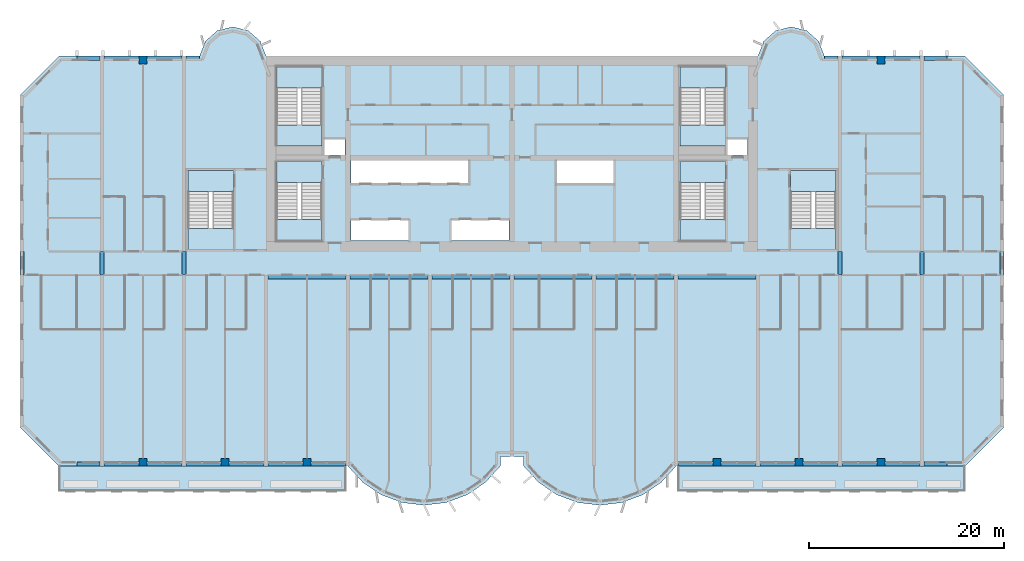
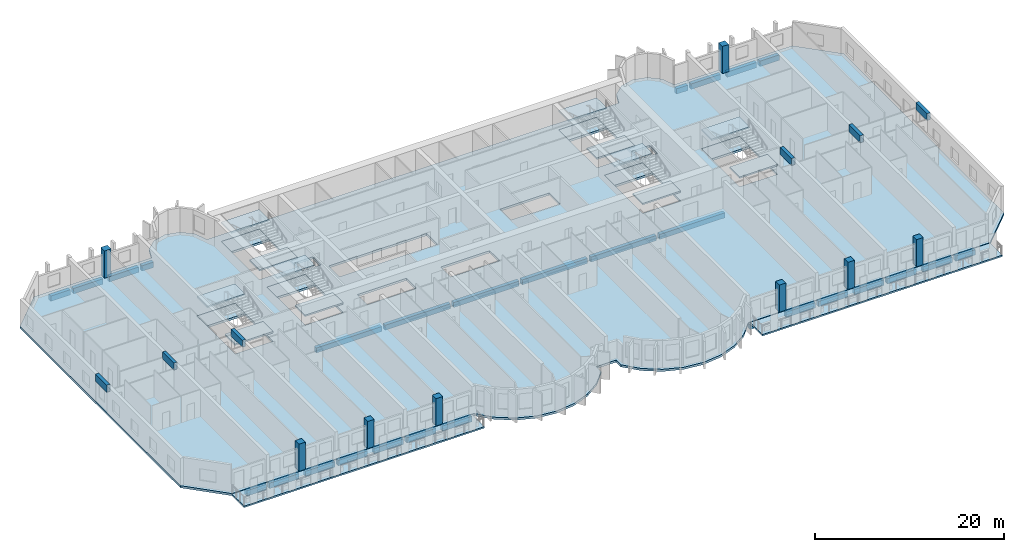
# One storey, part 1 of 15: 34 beams, 21 slabs, 8 columns, 6 elements without a shape of their own.
"""IFC4 building model written with IfcOpenShell, lengths in metres."""

from ifc_helpers import new_model, si_unit, direction, frame, origin, origin_2d, place, context, subcontext, project, spatial, polyline, rectangle, outline, extrude, source, transform, mapped, material, layer, layer_set, material_profile, profile_set, type_object, element, aggregate, save


model = new_model("IFC4")

# Units and contexts
model_context = context("Model", 3, precision=1e-05, world=origin(), true_north=direction((0.0, 1.0)))
body_context = subcontext(model_context, "Body", "Model", "MODEL_VIEW")
ifc_project = project(units=[si_unit("LENGTHUNIT", "METRE"), si_unit("AREAUNIT", "SQUARE_METRE"), si_unit("VOLUMEUNIT", "CUBIC_METRE"), si_unit("PLANEANGLEUNIT", "RADIAN"), si_unit("MASSUNIT", "GRAM", prefix="KILO")], contexts=[model_context])

# Site, building, storey
site_placement = place(None, origin())
site = spatial("IfcSite", under=ifc_project, at=site_placement, CompositionType="ELEMENT")
building_placement = place(site_placement, origin())
building = spatial("IfcBuilding", under=site, at=building_placement, Name="Vanashikhar Sky Hotel", CompositionType="ELEMENT")
storey_placement = place(building_placement, frame((0.0, 0.0, 77.199951171875)))
storey = spatial("IfcBuildingStorey", under=building, at=storey_placement, Name="L18", CompositionType="ELEMENT", Elevation=77.199951171875)

# Columns
ifc_material_1 = material(Name="Concrete M70", Category="concrete")
ifc_material_profile_1 = material_profile(ifc_material_1, rectangle(XDim=0.800048828125, YDim=0.800048828125, at=origin_2d()))
ifc_profile_set_1 = profile_set([ifc_material_profile_1], Name="RC 800x800 column Concrete M70")
column_type = type_object("IfcColumnType", Name="RC 800x800 column Concrete M70", PredefinedType="COLUMN", material=ifc_profile_set_1)
shared_shape_1 = source(origin(), body_context, "Body", "SweptSolid", [
    extrude(rectangle(XDim=0.800048828125, YDim=0.800048828125, at=origin_2d()), origin(), (0.0, 0.0, 1.0), 3.52001953125),
])
for number, where, z_axis, x_axis, name in (
    (1, (12.60009765625, 0.39990234375, 0.0), (0.0, 0.0, 1.0), (1.0, 0.0, 0.0), "CL-L18-CF02"),
    (2, (21.0, 0.39990234375, 0.0), (0.0, 0.0, 1.0), (1.0, 0.0, 0.0), "CL-L18-CF03"),
    (3, (29.39990234375, 0.39990234375, 0.0), (0.0, 0.0, 1.0), (1.0, 0.0, 0.0), "CL-L18-CF04"),
    (4, (71.39990234375, 0.39990234375, 0.0), (0.0, 0.0, 1.0), (1.0, 0.0, 0.0), "CL-L18-CF09"),
    (5, (79.800048828125, 0.39990234375, 0.0), (0.0, 0.0, 1.0), (1.0, 0.0, 0.0), "CL-L18-CF10"),
    (6, (88.199951171875, 0.39990234375, 0.0), (0.0, 0.0, 1.0), (1.0, 0.0, 0.0), "CL-L18-CF11"),
    (7, (12.60009765625, 41.60009765625, 0.0), (0.0, 0.0, 1.0), (1.0, 0.0, 0.0), "CL-L18-CR02"),
    (8, (88.199951171875, 41.60009765625, 0.0), (0.0, 0.0, 1.0), (1.0, 0.0, 0.0), "CL-L18-CR11"),
):
    element("IfcColumn", number, at=place(storey_placement, frame(where, z_axis=z_axis, x_axis=x_axis)), inside=storey, type_object=column_type, Name=name, PredefinedType="COLUMN", context=body_context, shape_type="MappedRepresentation", body=[
        mapped(shared_shape_1, transform((0.0, 0.0, 0.0), scale=1.0)),
    ])

# Beams
ifc_material_2 = material(Name="Concrete M50", Category="concrete")
ifc_material_profile_2 = material_profile(ifc_material_2, rectangle(XDim=0.39990234375, YDim=0.89990234375, at=origin_2d()))
ifc_profile_set_2 = profile_set([ifc_material_profile_2], Name="RC 400x900 beam Concrete M50")
beam_type_1 = type_object("IfcBeamType", Name="RC 400x900 beam Concrete M50", PredefinedType="LINTEL", material=ifc_profile_set_2)
shared_shape_2 = source(origin(), body_context, "Body", "SweptSolid", [
    extrude(rectangle(XDim=0.39990234375, YDim=0.89990234375, at=origin_2d()), origin(), (0.0, 0.0, 1.0), 2.39990234375),
])
for number, where, z_axis, x_axis, name in (
    (9, (0.199951171875, 19.60009765625, 3.070068359375), (0.0, 1.0, 0.0), (-1.0, 0.0, 0.0), "LB-L18-XW01"),
    (10, (8.39990234375, 19.60009765625, 3.070068359375), (0.0, 1.0, 0.0), (-1.0, 0.0, 0.0), "LB-L18-XW02"),
    (11, (16.800048828125, 19.60009765625, 3.070068359375), (0.0, 1.0, 0.0), (-1.0, 0.0, 0.0), "LB-L18-XW03"),
    (12, (84.0, 19.60009765625, 3.070068359375), (0.0, 1.0, 0.0), (-1.0, 0.0, 0.0), "LB-L18-XW11"),
    (13, (92.39990234375, 19.60009765625, 3.070068359375), (0.0, 1.0, 0.0), (-1.0, 0.0, 0.0), "LB-L18-XW12"),
    (14, (100.60009765625, 19.60009765625, 3.070068359375), (0.0, 1.0, 0.0), (-1.0, 0.0, 0.0), "LB-L18-XW13"),
):
    element("IfcBeam", number, at=place(storey_placement, frame(where, z_axis=z_axis, x_axis=x_axis)), inside=storey, type_object=beam_type_1, Name=name, PredefinedType="LINTEL", context=body_context, shape_type="MappedRepresentation", body=[
        mapped(shared_shape_2, transform((0.0, 0.0, 0.0), scale=1.0)),
    ])
ifc_material_profile_3 = material_profile(ifc_material_2, rectangle(XDim=0.449951171875, YDim=0.699951171875, at=origin_2d()))
ifc_profile_set_3 = profile_set([ifc_material_profile_3], Name="RC 450x700 beam Concrete M50")
beam_type_2 = type_object("IfcBeamType", Name="RC 450x700 beam Concrete M50", PredefinedType="BEAM", material=ifc_profile_set_3)
shared_shape_3 = source(origin(), body_context, "Body", "SweptSolid", [
    extrude(rectangle(XDim=0.449951171875, YDim=0.699951171875, at=origin_2d()), origin(), (0.0, 0.0, 1.0), 3.599853515625),
])
for number, where, z_axis, x_axis, name in (
    (15, (8.60009765625, 0.22509765625, -0.6298828125), (1.0, 0.0, 0.0), (0.0, 1.0, 0.0), "EB-L18-F01"),
    (16, (29.800048828125, 0.22509765625, -0.6298828125), (1.0, 0.0, 0.0), (0.0, 1.0, 0.0), "EB-L18-F06"),
    (17, (71.800048828125, 0.22509765625, -0.6298828125), (1.0, 0.0, 0.0), (0.0, 1.0, 0.0), "EB-L18-F09"),
    (18, (75.800048828125, 0.22509765625, -0.6298828125), (1.0, 0.0, 0.0), (0.0, 1.0, 0.0), "EB-L18-F10"),
    (19, (88.60009765625, 0.22509765625, -0.6298828125), (1.0, 0.0, 0.0), (0.0, 1.0, 0.0), "EB-L18-F13"),
    (20, (8.60009765625, 41.77490234375, -0.6298828125), (1.0, 0.0, 0.0), (0.0, 1.0, 0.0), "EB-L18-R01"),
    (21, (88.60009765625, 41.77490234375, -0.6298828125), (1.0, 0.0, 0.0), (0.0, 1.0, 0.0), "EB-L18-R06"),
):
    element("IfcBeam", number, at=place(storey_placement, frame(where, z_axis=z_axis, x_axis=x_axis)), inside=storey, type_object=beam_type_2, Name=name, PredefinedType="BEAM", context=body_context, shape_type="MappedRepresentation", body=[
        mapped(shared_shape_3, transform((0.0, 0.0, 0.0), scale=1.0)),
    ])
shared_shape_4 = source(origin(), body_context, "Body", "SweptSolid", [
    extrude(rectangle(XDim=0.449951171875, YDim=0.699951171875, at=origin_2d()), origin(), (0.0, 0.0, 1.0), 3.60009765625),
])
for number, where, z_axis, x_axis, name in (
    (22, (13.0, 0.22509765625, -0.6298828125), (1.0, 0.0, 0.0), (0.0, 1.0, 0.0), "EB-L18-F02"),
    (23, (17.0, 0.22509765625, -0.6298828125), (1.0, 0.0, 0.0), (0.0, 1.0, 0.0), "EB-L18-F03"),
    (24, (21.39990234375, 0.22509765625, -0.6298828125), (1.0, 0.0, 0.0), (0.0, 1.0, 0.0), "EB-L18-F04"),
    (25, (25.39990234375, 0.22509765625, -0.6298828125), (1.0, 0.0, 0.0), (0.0, 1.0, 0.0), "EB-L18-F05"),
    (26, (67.39990234375, 0.22509765625, -0.6298828125), (1.0, 0.0, 0.0), (0.0, 1.0, 0.0), "EB-L18-F08"),
    (27, (80.199951171875, 0.22509765625, -0.6298828125), (1.0, 0.0, 0.0), (0.0, 1.0, 0.0), "EB-L18-F11"),
    (28, (84.199951171875, 0.22509765625, -0.6298828125), (1.0, 0.0, 0.0), (0.0, 1.0, 0.0), "EB-L18-F12"),
    (29, (13.0, 41.77490234375, -0.6298828125), (1.0, 0.0, 0.0), (0.0, 1.0, 0.0), "EB-L18-R02"),
    (30, (84.199951171875, 41.77490234375, -0.6298828125), (1.0, 0.0, 0.0), (0.0, 1.0, 0.0), "EB-L18-R05"),
):
    element("IfcBeam", number, at=place(storey_placement, frame(where, z_axis=z_axis, x_axis=x_axis)), inside=storey, type_object=beam_type_2, Name=name, PredefinedType="BEAM", context=body_context, shape_type="MappedRepresentation", body=[
        mapped(shared_shape_4, transform((0.0, 0.0, 0.0), scale=1.0)),
    ])
ifc_material_profile_4 = material_profile(ifc_material_2, rectangle(XDim=0.449951171875, YDim=0.699951171875, at=origin_2d()))
ifc_profile_set_4 = profile_set([ifc_material_profile_4], Name="RC 450x700 cantilever beam Concrete M50")
beam_type_3 = type_object("IfcBeamType", Name="RC 450x700 cantilever beam Concrete M50", PredefinedType="SPANDREL", material=ifc_profile_set_4)
shared_shape_5 = source(origin(), body_context, "Body", "SweptSolid", [
    extrude(rectangle(XDim=0.449951171875, YDim=0.699951171875, at=origin_2d()), origin(), (0.0, 0.0, 1.0), 2.3798828125),
])
for number, where, z_axis, x_axis, name in (
    (31, (5.820068359375, 0.22509765625, -0.6298828125), (1.0, 0.0, 0.0), (0.0, 1.0, 0.0), "EB-L18-F07"),
    (32, (92.60009765625, 0.22509765625, -0.6298828125), (1.0, 0.0, 0.0), (0.0, 1.0, 0.0), "EB-L18-F14"),
    (33, (5.820068359375, 41.77490234375, -0.6298828125), (1.0, 0.0, 0.0), (0.0, 1.0, 0.0), "EB-L18-R03"),
    (34, (92.60009765625, 41.77490234375, -0.6298828125), (1.0, 0.0, 0.0), (0.0, 1.0, 0.0), "EB-L18-R08"),
):
    element("IfcBeam", number, at=place(storey_placement, frame(where, z_axis=z_axis, x_axis=x_axis)), inside=storey, type_object=beam_type_3, Name=name, PredefinedType="SPANDREL", context=body_context, shape_type="MappedRepresentation", body=[
        mapped(shared_shape_5, transform((0.0, 0.0, 0.0), scale=1.0)),
    ])
shared_shape_6 = source(origin(), body_context, "Body", "SweptSolid", [
    extrude(rectangle(XDim=0.449951171875, YDim=0.699951171875, at=origin_2d()), origin(), (0.0, 0.0, 1.0), 1.39990234375),
])
beam_1_placement = place(storey_placement, frame((17.0, 41.77490234375, -0.6298828125), z_axis=(1.0, 0.0, 0.0), x_axis=(0.0, 1.0, 0.0)))
element("IfcBeam", 35, at=beam_1_placement, inside=storey, type_object=beam_type_3, Name="EB-L18-R04", PredefinedType="SPANDREL", context=body_context, shape_type="MappedRepresentation", body=[
    mapped(shared_shape_6, transform((0.0, 0.0, 0.0), scale=1.0)),
])
shared_shape_7 = source(origin(), body_context, "Body", "SweptSolid", [
    extrude(rectangle(XDim=0.449951171875, YDim=0.699951171875, at=origin_2d()), origin(), (0.0, 0.0, 1.0), 1.400146484375),
])
beam_2_placement = place(storey_placement, frame((82.39990234375, 41.77490234375, -0.6298828125), z_axis=(1.0, 0.0, 0.0), x_axis=(0.0, 1.0, 0.0)))
element("IfcBeam", 36, at=beam_2_placement, inside=storey, type_object=beam_type_3, Name="EB-L18-R07", PredefinedType="SPANDREL", context=body_context, shape_type="MappedRepresentation", body=[
    mapped(shared_shape_7, transform((0.0, 0.0, 0.0), scale=1.0)),
])
ifc_material_profile_5 = material_profile(ifc_material_2, rectangle(XDim=0.449951171875, YDim=0.64990234375, at=origin_2d()))
ifc_profile_set_5 = profile_set([ifc_material_profile_5], Name="RC 450x650 beam Concrete M50")
beam_type_4 = type_object("IfcBeamType", Name="RC 450x650 beam Concrete M50", PredefinedType="BEAM", material=ifc_profile_set_5)
shared_shape_8 = source(origin(), body_context, "Body", "SweptSolid", [
    extrude(rectangle(XDim=0.449951171875, YDim=0.64990234375, at=origin_2d()), origin(), (0.0, 0.0, 1.0), 8.0),
])
for number, where, z_axis, x_axis, name in (
    (37, (25.39990234375, 19.375, -0.60498046875), (1.0, 0.0, 0.0), (0.0, 1.0, 0.0), "CB-L18-01"),
    (38, (33.800048828125, 19.375, -0.60498046875), (1.0, 0.0, 0.0), (0.0, 1.0, 0.0), "CB-L18-02"),
    (39, (42.199951171875, 19.375, -0.60498046875), (1.0, 0.0, 0.0), (0.0, 1.0, 0.0), "CB-L18-03"),
    (40, (50.60009765625, 19.375, -0.60498046875), (1.0, 0.0, 0.0), (0.0, 1.0, 0.0), "CB-L18-04"),
    (41, (59.0, 19.375, -0.60498046875), (1.0, 0.0, 0.0), (0.0, 1.0, 0.0), "CB-L18-05"),
    (42, (67.39990234375, 19.375, -0.60498046875), (1.0, 0.0, 0.0), (0.0, 1.0, 0.0), "CB-L18-06"),
):
    element("IfcBeam", number, at=place(storey_placement, frame(where, z_axis=z_axis, x_axis=x_axis)), inside=storey, type_object=beam_type_4, Name=name, PredefinedType="BEAM", context=body_context, shape_type="MappedRepresentation", body=[
        mapped(shared_shape_8, transform((0.0, 0.0, 0.0), scale=1.0)),
    ])

# Slabs
ifc_material_3 = material(Name="Concrete M40", Category="concrete")
ifc_layer_1 = layer(ifc_material_3, 0.280029296875)
ifc_layer_set_1 = layer_set([ifc_layer_1], Name="Floor slab 280 mm")
slab_type_1 = type_object("IfcSlabType", Name="Floor slab 280 mm", PredefinedType="FLOOR", material=ifc_layer_set_1)
shared_shape_9 = source(origin(), body_context, "Body", "SweptSolid", [
    extrude(outline(polyline([(49.199951171875, 0.0), (49.199951171875, 1.0), (51.60009765625, 1.0), (51.60009765625, 0.0), (53.133056640625, -1.674072265625), (55.01708984375, -2.94189453125), (57.14599609375, -3.73193359375), (59.39990234375, -4.0), (61.654052734375, -3.73193359375), (63.782958984375, -2.94189453125), (65.6669921875, -1.674072265625), (67.199951171875, 0.0), (96.800048828125, 0.0), (100.800048828125, 4.0), (100.800048828125, 38.0), (96.800048828125, 42.0), (82.39990234375, 42.0), (81.81494140625, 43.527099609375), (80.587890625, 44.610107421875), (79.0, 45.0), (77.412109375, 44.610107421875), (76.18505859375, 43.527099609375), (75.60009765625, 42.0), (25.199951171875, 42.0), (24.614990234375, 43.527099609375), (23.387939453125, 44.610107421875), (21.800048828125, 45.0), (20.2119140625, 44.610107421875), (18.985107421875, 43.527099609375), (18.39990234375, 42.0), (4.0, 42.0), (0.0, 38.0), (0.0, 4.0), (4.0, 0.0), (33.60009765625, 0.0), (35.133056640625, -1.674072265625), (37.01708984375, -2.94189453125), (39.14599609375, -3.73193359375), (41.39990234375, -4.0), (43.654052734375, -3.73193359375), (45.782958984375, -2.94189453125), (47.6669921875, -1.674072265625), (49.199951171875, 0.0)]), holes=[polyline([(33.300048828125, 33.60009765625), (31.050048828125, 33.60009765625), (31.050048828125, 31.89990234375), (33.300048828125, 31.89990234375), (33.300048828125, 33.60009765625)]), polyline([(33.89990234375, 25.199951171875), (33.89990234375, 23.10009765625), (39.89990234375, 23.10009765625), (39.89990234375, 25.199951171875), (33.89990234375, 25.199951171875)]), polyline([(33.89990234375, 31.300048828125), (33.89990234375, 29.0), (45.89990234375, 29.0), (45.89990234375, 31.300048828125), (33.89990234375, 31.300048828125)]), polyline([(44.10009765625, 25.199951171875), (44.10009765625, 23.10009765625), (50.10009765625, 23.10009765625), (50.10009765625, 25.199951171875), (44.10009765625, 25.199951171875)]), polyline([(54.89990234375, 31.300048828125), (54.89990234375, 29.0), (60.89990234375, 29.0), (60.89990234375, 31.300048828125), (54.89990234375, 31.300048828125)]), polyline([(74.5, 33.60009765625), (72.35009765625, 33.60009765625), (72.35009765625, 31.89990234375), (74.5, 31.89990234375), (74.5, 33.60009765625)]), polyline([(30.949951171875, 23.10009765625), (30.949951171875, 31.199951171875), (26.300048828125, 31.199951171875), (26.300048828125, 23.10009765625), (30.949951171875, 23.10009765625)]), polyline([(72.25, 23.10009765625), (72.25, 31.199951171875), (67.60009765625, 31.199951171875), (67.60009765625, 23.10009765625), (72.25, 23.10009765625)]), polyline([(30.949951171875, 32.800048828125), (30.949951171875, 40.89990234375), (26.300048828125, 40.89990234375), (26.300048828125, 32.800048828125), (30.949951171875, 32.800048828125)]), polyline([(72.25, 32.800048828125), (72.25, 40.89990234375), (67.60009765625, 40.89990234375), (67.60009765625, 32.800048828125), (72.25, 32.800048828125)]), polyline([(83.60009765625, 22.199951171875), (83.60009765625, 30.300048828125), (78.949951171875, 30.300048828125), (78.949951171875, 22.199951171875), (83.60009765625, 22.199951171875)]), polyline([(21.85009765625, 22.199951171875), (21.85009765625, 30.300048828125), (17.199951171875, 30.300048828125), (17.199951171875, 22.199951171875), (21.85009765625, 22.199951171875)])]), origin(), (0.0, 0.0, 1.0), 0.280029296875),
])
slab_1_placement = place(storey_placement, frame((0.0, 0.0, -0.280029296875)))
element("IfcSlab", 43, at=slab_1_placement, inside=storey, type_object=slab_type_1, Name="Floor slab L18", PredefinedType="FLOOR", context=body_context, shape_type="MappedRepresentation", body=[
    mapped(shared_shape_9, transform((0.0, 0.0, 0.0), scale=1.0)),
])
ifc_layer_2 = layer(ifc_material_3, 0.199951171875)
ifc_layer_set_2 = layer_set([ifc_layer_2], Name="Balcony slab 200 mm")
slab_type_2 = type_object("IfcSlabType", Name="Balcony slab 200 mm", PredefinedType="USERDEFINED", material=ifc_layer_set_2)
shared_shape_10 = source(origin(), body_context, "Body", "SweptSolid", [
    extrude(outline(polyline([(4.0, -2.60009765625), (33.39990234375, -2.60009765625), (33.39990234375, 0.0), (4.0, 0.0), (4.0, -2.60009765625)])), origin(), (0.0, 0.0, 1.0), 0.199951171875),
])
slab_2_placement = place(storey_placement, frame((0.0, 0.0, -0.25)))
element("IfcSlab", 44, at=slab_2_placement, inside=storey, type_object=slab_type_2, Name="Balcony slab L18 1", ObjectType="BALCONY", PredefinedType="USERDEFINED", context=body_context, shape_type="MappedRepresentation", body=[
    mapped(shared_shape_10, transform((0.0, 0.0, 0.0), scale=1.0)),
])
shared_shape_11 = source(origin(), body_context, "Body", "SweptSolid", [
    extrude(outline(polyline([(67.39990234375, -2.60009765625), (96.800048828125, -2.60009765625), (96.800048828125, 0.0), (67.39990234375, 0.0), (67.39990234375, -2.60009765625)])), origin(), (0.0, 0.0, 1.0), 0.199951171875),
])
slab_3_placement = place(storey_placement, frame((0.0, 0.0, -0.25)))
element("IfcSlab", 45, at=slab_3_placement, inside=storey, type_object=slab_type_2, Name="Balcony slab L18 2", ObjectType="BALCONY", PredefinedType="USERDEFINED", context=body_context, shape_type="MappedRepresentation", body=[
    mapped(shared_shape_11, transform((0.0, 0.0, 0.0), scale=1.0)),
])

# Stair, slabs
stair_type = type_object("IfcStairType", Name="Exit stair 2150", PredefinedType="DOUBLE_RETURN_STAIR", material=ifc_material_3)
stair_1_placement = place(storey_placement, origin())
stair_1 = element("IfcStair", 46, at=stair_1_placement, inside=storey, type_object=stair_type, Name="L18 Exit stair 1", PredefinedType="DOUBLE_RETURN_STAIR")
ifc_layer_3 = layer(ifc_material_3, 0.199951171875)
ifc_layer_set_3 = layer_set([ifc_layer_3], Name="Stair landing 200")
slab_type_3 = type_object("IfcSlabType", Name="Stair landing 200", PredefinedType="LANDING", material=ifc_layer_set_3)
shared_shape_12 = source(origin(), body_context, "Body", "SweptSolid", [
    extrude(outline(polyline([(30.949951171875, 29.050048828125), (30.949951171875, 31.199951171875), (26.300048828125, 31.199951171875), (26.300048828125, 29.050048828125), (30.949951171875, 29.050048828125)])), origin(), (0.0, 0.0, 1.0), 0.199951171875),
])
slab_4_placement = place(storey_placement, frame((0.0, 0.0, 2.33349609375)))
slab_4 = element("IfcSlab", 47, at=slab_4_placement, type_object=slab_type_3, Name="ST-C1 landing 2", PredefinedType="LANDING", context=body_context, shape_type="MappedRepresentation", body=[
    mapped(shared_shape_12, transform((0.0, 0.0, 0.0), scale=1.0)),
])
shared_shape_13 = source(origin(), body_context, "Body", "SweptSolid", [
    extrude(outline(polyline([(30.949951171875, 23.10009765625), (30.949951171875, 25.25), (26.300048828125, 25.25), (26.300048828125, 23.10009765625), (30.949951171875, 23.10009765625)])), origin(), (0.0, 0.0, 1.0), 0.199951171875),
])
slab_5_placement = place(storey_placement, frame((0.0, 0.0, 1.066650390625)))
slab_5 = element("IfcSlab", 48, at=slab_5_placement, type_object=slab_type_3, Name="ST-C1 landing 1", PredefinedType="LANDING", context=body_context, shape_type="MappedRepresentation", body=[
    mapped(shared_shape_13, transform((0.0, 0.0, 0.0), scale=1.0)),
])
aggregate(stair_1, [slab_5, slab_4])

# Slab
ifc_layer_4 = layer(ifc_material_3, 0.280029296875)
ifc_layer_set_4 = layer_set([ifc_layer_4], Name="Stair floor landing 280")
slab_type_4 = type_object("IfcSlabType", Name="Stair floor landing 280", PredefinedType="LANDING", material=ifc_layer_set_4)
shared_shape_14 = source(origin(), body_context, "Body", "SweptSolid", [
    extrude(outline(polyline([(30.949951171875, 29.050048828125), (30.949951171875, 31.199951171875), (26.300048828125, 31.199951171875), (26.300048828125, 29.050048828125), (30.949951171875, 29.050048828125)])), origin(), (0.0, 0.0, 1.0), 0.280029296875),
])
slab_6_placement = place(storey_placement, frame((0.0, 0.0, -0.280029296875)))
element("IfcSlab", 49, at=slab_6_placement, inside=storey, type_object=slab_type_4, Name="Exit stair 1 floor landing", PredefinedType="LANDING", context=body_context, shape_type="MappedRepresentation", body=[
    mapped(shared_shape_14, transform((0.0, 0.0, 0.0), scale=1.0)),
])

# Stair, slabs
stair_2_placement = place(storey_placement, origin())
stair_2 = element("IfcStair", 50, at=stair_2_placement, inside=storey, type_object=stair_type, Name="L18 Exit stair 2", PredefinedType="DOUBLE_RETURN_STAIR")
shared_shape_15 = source(origin(), body_context, "Body", "SweptSolid", [
    extrude(outline(polyline([(72.25, 29.050048828125), (72.25, 31.199951171875), (67.60009765625, 31.199951171875), (67.60009765625, 29.050048828125), (72.25, 29.050048828125)])), origin(), (0.0, 0.0, 1.0), 0.199951171875),
])
slab_7_placement = place(storey_placement, frame((0.0, 0.0, 2.33349609375)))
slab_7 = element("IfcSlab", 51, at=slab_7_placement, type_object=slab_type_3, Name="ST-C2 landing 2", PredefinedType="LANDING", context=body_context, shape_type="MappedRepresentation", body=[
    mapped(shared_shape_15, transform((0.0, 0.0, 0.0), scale=1.0)),
])
shared_shape_16 = source(origin(), body_context, "Body", "SweptSolid", [
    extrude(outline(polyline([(72.25, 23.10009765625), (72.25, 25.25), (67.60009765625, 25.25), (67.60009765625, 23.10009765625), (72.25, 23.10009765625)])), origin(), (0.0, 0.0, 1.0), 0.199951171875),
])
slab_8_placement = place(storey_placement, frame((0.0, 0.0, 1.066650390625)))
slab_8 = element("IfcSlab", 52, at=slab_8_placement, type_object=slab_type_3, Name="ST-C2 landing 1", PredefinedType="LANDING", context=body_context, shape_type="MappedRepresentation", body=[
    mapped(shared_shape_16, transform((0.0, 0.0, 0.0), scale=1.0)),
])
aggregate(stair_2, [slab_8, slab_7])

# Slab
shared_shape_17 = source(origin(), body_context, "Body", "SweptSolid", [
    extrude(outline(polyline([(72.25, 29.050048828125), (72.25, 31.199951171875), (67.60009765625, 31.199951171875), (67.60009765625, 29.050048828125), (72.25, 29.050048828125)])), origin(), (0.0, 0.0, 1.0), 0.280029296875),
])
slab_9_placement = place(storey_placement, frame((0.0, 0.0, -0.280029296875)))
element("IfcSlab", 53, at=slab_9_placement, inside=storey, type_object=slab_type_4, Name="Exit stair 2 floor landing", PredefinedType="LANDING", context=body_context, shape_type="MappedRepresentation", body=[
    mapped(shared_shape_17, transform((0.0, 0.0, 0.0), scale=1.0)),
])

# Stair, slabs
stair_3_placement = place(storey_placement, origin())
stair_3 = element("IfcStair", 54, at=stair_3_placement, inside=storey, type_object=stair_type, Name="L18 Exit stair 3", PredefinedType="DOUBLE_RETURN_STAIR")
shared_shape_18 = source(origin(), body_context, "Body", "SweptSolid", [
    extrude(outline(polyline([(21.85009765625, 28.14990234375), (21.85009765625, 30.300048828125), (17.199951171875, 30.300048828125), (17.199951171875, 28.14990234375), (21.85009765625, 28.14990234375)])), origin(), (0.0, 0.0, 1.0), 0.199951171875),
])
slab_10_placement = place(storey_placement, frame((0.0, 0.0, 2.33349609375)))
slab_10 = element("IfcSlab", 55, at=slab_10_placement, type_object=slab_type_3, Name="ST-W landing 2", PredefinedType="LANDING", context=body_context, shape_type="MappedRepresentation", body=[
    mapped(shared_shape_18, transform((0.0, 0.0, 0.0), scale=1.0)),
])
shared_shape_19 = source(origin(), body_context, "Body", "SweptSolid", [
    extrude(outline(polyline([(21.85009765625, 22.199951171875), (21.85009765625, 24.35009765625), (17.199951171875, 24.35009765625), (17.199951171875, 22.199951171875), (21.85009765625, 22.199951171875)])), origin(), (0.0, 0.0, 1.0), 0.199951171875),
])
slab_11_placement = place(storey_placement, frame((0.0, 0.0, 1.066650390625)))
slab_11 = element("IfcSlab", 56, at=slab_11_placement, type_object=slab_type_3, Name="ST-W landing 1", PredefinedType="LANDING", context=body_context, shape_type="MappedRepresentation", body=[
    mapped(shared_shape_19, transform((0.0, 0.0, 0.0), scale=1.0)),
])
aggregate(stair_3, [slab_11, slab_10])

# Slab
shared_shape_20 = source(origin(), body_context, "Body", "SweptSolid", [
    extrude(outline(polyline([(21.85009765625, 28.14990234375), (21.85009765625, 30.300048828125), (17.199951171875, 30.300048828125), (17.199951171875, 28.14990234375), (21.85009765625, 28.14990234375)])), origin(), (0.0, 0.0, 1.0), 0.280029296875),
])
slab_12_placement = place(storey_placement, frame((0.0, 0.0, -0.280029296875)))
element("IfcSlab", 57, at=slab_12_placement, inside=storey, type_object=slab_type_4, Name="Exit stair 3 floor landing", PredefinedType="LANDING", context=body_context, shape_type="MappedRepresentation", body=[
    mapped(shared_shape_20, transform((0.0, 0.0, 0.0), scale=1.0)),
])

# Stair, slabs
stair_4_placement = place(storey_placement, origin())
stair_4 = element("IfcStair", 58, at=stair_4_placement, inside=storey, type_object=stair_type, Name="L18 Exit stair 4", PredefinedType="DOUBLE_RETURN_STAIR")
shared_shape_21 = source(origin(), body_context, "Body", "SweptSolid", [
    extrude(outline(polyline([(83.60009765625, 28.14990234375), (83.60009765625, 30.300048828125), (78.949951171875, 30.300048828125), (78.949951171875, 28.14990234375), (83.60009765625, 28.14990234375)])), origin(), (0.0, 0.0, 1.0), 0.199951171875),
])
slab_13_placement = place(storey_placement, frame((0.0, 0.0, 2.33349609375)))
slab_13 = element("IfcSlab", 59, at=slab_13_placement, type_object=slab_type_3, Name="ST-E landing 2", PredefinedType="LANDING", context=body_context, shape_type="MappedRepresentation", body=[
    mapped(shared_shape_21, transform((0.0, 0.0, 0.0), scale=1.0)),
])
shared_shape_22 = source(origin(), body_context, "Body", "SweptSolid", [
    extrude(outline(polyline([(83.60009765625, 22.199951171875), (83.60009765625, 24.35009765625), (78.949951171875, 24.35009765625), (78.949951171875, 22.199951171875), (83.60009765625, 22.199951171875)])), origin(), (0.0, 0.0, 1.0), 0.199951171875),
])
slab_14_placement = place(storey_placement, frame((0.0, 0.0, 1.066650390625)))
slab_14 = element("IfcSlab", 60, at=slab_14_placement, type_object=slab_type_3, Name="ST-E landing 1", PredefinedType="LANDING", context=body_context, shape_type="MappedRepresentation", body=[
    mapped(shared_shape_22, transform((0.0, 0.0, 0.0), scale=1.0)),
])
aggregate(stair_4, [slab_14, slab_13])

# Slab
shared_shape_23 = source(origin(), body_context, "Body", "SweptSolid", [
    extrude(outline(polyline([(83.60009765625, 28.14990234375), (83.60009765625, 30.300048828125), (78.949951171875, 30.300048828125), (78.949951171875, 28.14990234375), (83.60009765625, 28.14990234375)])), origin(), (0.0, 0.0, 1.0), 0.280029296875),
])
slab_15_placement = place(storey_placement, frame((0.0, 0.0, -0.280029296875)))
element("IfcSlab", 61, at=slab_15_placement, inside=storey, type_object=slab_type_4, Name="Exit stair 4 floor landing", PredefinedType="LANDING", context=body_context, shape_type="MappedRepresentation", body=[
    mapped(shared_shape_23, transform((0.0, 0.0, 0.0), scale=1.0)),
])

# Stair, slabs
stair_5_placement = place(storey_placement, origin())
stair_5 = element("IfcStair", 62, at=stair_5_placement, inside=storey, type_object=stair_type, Name="L18 Exit stair 5", PredefinedType="DOUBLE_RETURN_STAIR")
shared_shape_24 = source(origin(), body_context, "Body", "SweptSolid", [
    extrude(outline(polyline([(30.949951171875, 38.75), (30.949951171875, 40.89990234375), (26.300048828125, 40.89990234375), (26.300048828125, 38.75), (30.949951171875, 38.75)])), origin(), (0.0, 0.0, 1.0), 0.199951171875),
])
slab_16_placement = place(storey_placement, frame((0.0, 0.0, 2.33349609375)))
slab_16 = element("IfcSlab", 63, at=slab_16_placement, type_object=slab_type_3, Name="ST-C3 landing 2", PredefinedType="LANDING", context=body_context, shape_type="MappedRepresentation", body=[
    mapped(shared_shape_24, transform((0.0, 0.0, 0.0), scale=1.0)),
])
shared_shape_25 = source(origin(), body_context, "Body", "SweptSolid", [
    extrude(outline(polyline([(30.949951171875, 32.800048828125), (30.949951171875, 34.949951171875), (26.300048828125, 34.949951171875), (26.300048828125, 32.800048828125), (30.949951171875, 32.800048828125)])), origin(), (0.0, 0.0, 1.0), 0.199951171875),
])
slab_17_placement = place(storey_placement, frame((0.0, 0.0, 1.066650390625)))
slab_17 = element("IfcSlab", 64, at=slab_17_placement, type_object=slab_type_3, Name="ST-C3 landing 1", PredefinedType="LANDING", context=body_context, shape_type="MappedRepresentation", body=[
    mapped(shared_shape_25, transform((0.0, 0.0, 0.0), scale=1.0)),
])
aggregate(stair_5, [slab_17, slab_16])

# Slab
shared_shape_26 = source(origin(), body_context, "Body", "SweptSolid", [
    extrude(outline(polyline([(30.949951171875, 38.75), (30.949951171875, 40.89990234375), (26.300048828125, 40.89990234375), (26.300048828125, 38.75), (30.949951171875, 38.75)])), origin(), (0.0, 0.0, 1.0), 0.280029296875),
])
slab_18_placement = place(storey_placement, frame((0.0, 0.0, -0.280029296875)))
element("IfcSlab", 65, at=slab_18_placement, inside=storey, type_object=slab_type_4, Name="Exit stair 5 floor landing", PredefinedType="LANDING", context=body_context, shape_type="MappedRepresentation", body=[
    mapped(shared_shape_26, transform((0.0, 0.0, 0.0), scale=1.0)),
])

# Stair, slabs
stair_6_placement = place(storey_placement, origin())
stair_6 = element("IfcStair", 66, at=stair_6_placement, inside=storey, type_object=stair_type, Name="L18 Exit stair 6", PredefinedType="DOUBLE_RETURN_STAIR")
shared_shape_27 = source(origin(), body_context, "Body", "SweptSolid", [
    extrude(outline(polyline([(72.25, 38.75), (72.25, 40.89990234375), (67.60009765625, 40.89990234375), (67.60009765625, 38.75), (72.25, 38.75)])), origin(), (0.0, 0.0, 1.0), 0.199951171875),
])
slab_19_placement = place(storey_placement, frame((0.0, 0.0, 2.33349609375)))
slab_19 = element("IfcSlab", 67, at=slab_19_placement, type_object=slab_type_3, Name="ST-C4 landing 2", PredefinedType="LANDING", context=body_context, shape_type="MappedRepresentation", body=[
    mapped(shared_shape_27, transform((0.0, 0.0, 0.0), scale=1.0)),
])
shared_shape_28 = source(origin(), body_context, "Body", "SweptSolid", [
    extrude(outline(polyline([(72.25, 32.800048828125), (72.25, 34.949951171875), (67.60009765625, 34.949951171875), (67.60009765625, 32.800048828125), (72.25, 32.800048828125)])), origin(), (0.0, 0.0, 1.0), 0.199951171875),
])
slab_20_placement = place(storey_placement, frame((0.0, 0.0, 1.066650390625)))
slab_20 = element("IfcSlab", 68, at=slab_20_placement, type_object=slab_type_3, Name="ST-C4 landing 1", PredefinedType="LANDING", context=body_context, shape_type="MappedRepresentation", body=[
    mapped(shared_shape_28, transform((0.0, 0.0, 0.0), scale=1.0)),
])
aggregate(stair_6, [slab_20, slab_19])

# Slab
shared_shape_29 = source(origin(), body_context, "Body", "SweptSolid", [
    extrude(outline(polyline([(72.25, 38.75), (72.25, 40.89990234375), (67.60009765625, 40.89990234375), (67.60009765625, 38.75), (72.25, 38.75)])), origin(), (0.0, 0.0, 1.0), 0.280029296875),
])
slab_21_placement = place(storey_placement, frame((0.0, 0.0, -0.280029296875)))
element("IfcSlab", 69, at=slab_21_placement, inside=storey, type_object=slab_type_4, Name="Exit stair 6 floor landing", PredefinedType="LANDING", context=body_context, shape_type="MappedRepresentation", body=[
    mapped(shared_shape_29, transform((0.0, 0.0, 0.0), scale=1.0)),
])

save(model, "model.ifc")
